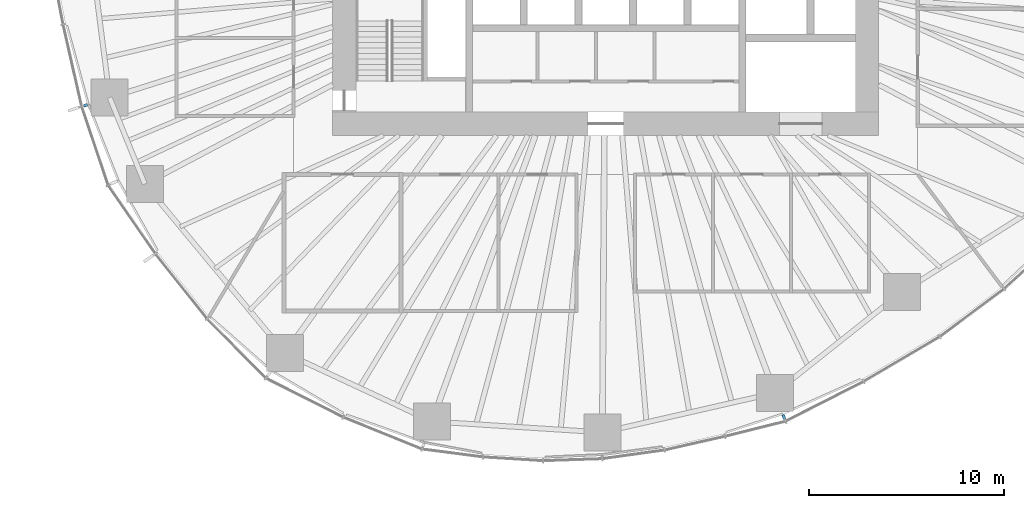
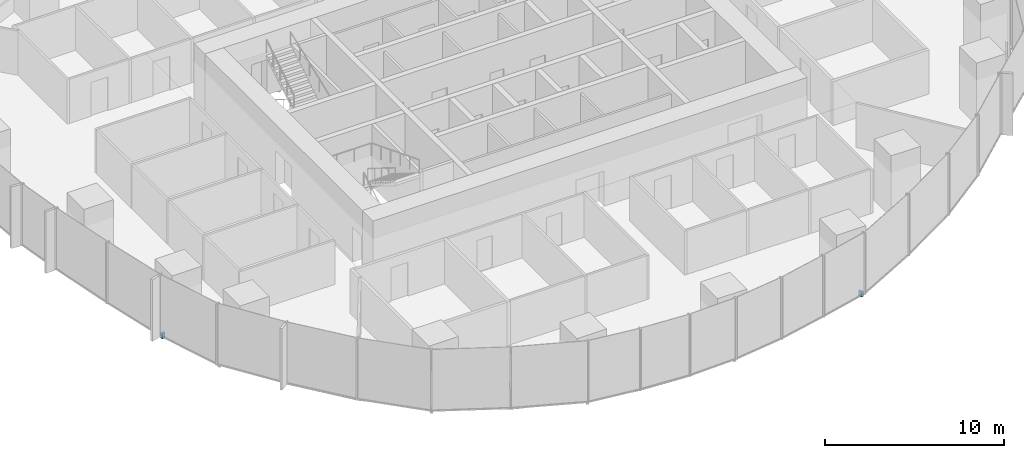
# One storey, part 13 of 20: 2 discrete accessories.
"""IFC4 building model written with IfcOpenShell, lengths in metres."""

import ifcopenshell
import ifcopenshell.guid

model = None  # the IFC model being written
_history = None  # IfcOwnerHistory: only IFC2X3 demands one
_inside = {}  # id of a spatial element -> (the spatial element, [elements in it])
_under = {}  # id of a project, library or spatial element -> (it, [spatial elements below it])
_declared = {}  # id of a project -> (the project, [libraries it declares])
_typed = {}  # id of a type object -> (the type object, [elements of that type])
_made_of = {}  # id of a material, layer set ... -> (it, [elements and type objects made of it])


def new_model(schema):
    """Start an empty IFC model of exactly this schema.

    Asked for "IFC4X3", IfcOpenShell would pick the latest addendum, in which some entities
    have other attributes; the version numbers below select the first issue.
    IFC2X3 requires an IfcOwnerHistory on every rooted entity: one is made here for all.
    """
    global model, _history
    if schema == "IFC4X3":
        model = ifcopenshell.file(schema_version=(4, 3, 0, 0))
    else:
        model = ifcopenshell.file(schema=schema)
    _inside.clear()
    _under.clear()
    _declared.clear()
    _typed.clear()
    _made_of.clear()
    _history = None
    if model.schema == "IFC2X3":
        org = make("IfcOrganization", Name="unknown")
        user = make(
            "IfcPersonAndOrganization",
            ThePerson=make("IfcPerson", FamilyName="unknown"),
            TheOrganization=org,
        )
        app = make(
            "IfcApplication",
            ApplicationDeveloper=org,
            Version="unknown",
            ApplicationFullName="unknown",
            ApplicationIdentifier="unknown",
        )
        _history = make(
            "IfcOwnerHistory",
            OwningUser=user,
            OwningApplication=app,
            ChangeAction="ADDED",
            CreationDate=0,
        )
    return model


def make(cls, **values):
    """One entity of the class cls with the attributes given. An attribute that is None is left unset."""
    return model.create_entity(
        cls, **{name: value for name, value in values.items() if value is not None}
    )


def rooted(cls, **values):
    """An entity with a GlobalId (a new one), such as an element, a storey or a relation."""
    return make(cls, GlobalId=ifcopenshell.guid.new(), OwnerHistory=_history, **values)


def si_unit(unit_type, name, prefix=None):
    """IfcSIUnit, for example si_unit("LENGTHUNIT", "METRE", prefix="MILLI")."""
    return make("IfcSIUnit", UnitType=unit_type, Prefix=prefix, Name=name)


def assignment(units):
    """IfcUnitAssignment: the units of a project."""
    return None if units is None else make("IfcUnitAssignment", Units=units)


def point(xyz):
    """IfcCartesianPoint."""
    return None if xyz is None else make("IfcCartesianPoint", Coordinates=xyz)


def direction(xyz):
    """IfcDirection."""
    return None if xyz is None else make("IfcDirection", DirectionRatios=xyz)


def frame(location, z_axis=None, x_axis=None):
    """IfcAxis2Placement3D, a coordinate frame: its origin and axes. An axis left out is left unset."""
    return make(
        "IfcAxis2Placement3D",
        Location=point(location),
        Axis=direction(z_axis),
        RefDirection=direction(x_axis),
    )


def frame_2d(location, x_axis=None):
    """IfcAxis2Placement2D, a coordinate frame in the plane: its origin and x axis."""
    return make(
        "IfcAxis2Placement2D", Location=point(location), RefDirection=direction(x_axis)
    )


def origin():
    """The frame at (0, 0, 0) with its axes left unset."""
    return frame((0.0, 0.0, 0.0))


def origin_2d():
    """The frame at (0, 0) in the plane with its x axis left unset."""
    return frame_2d((0.0, 0.0))


def place(relative_to, where):
    """IfcLocalPlacement: puts the frame where relative to a parent placement (None: the world)."""
    return make(
        "IfcLocalPlacement", PlacementRelTo=relative_to, RelativePlacement=where
    )


def context(
    kind, dimensions, precision=None, world=None, true_north=None, identifier=None
):
    """IfcGeometricRepresentationContext, for example the 3D "Model" context."""
    return make(
        "IfcGeometricRepresentationContext",
        ContextIdentifier=identifier,
        ContextType=kind,
        CoordinateSpaceDimension=dimensions,
        Precision=precision,
        WorldCoordinateSystem=world,
        TrueNorth=true_north,
    )


def subcontext(parent, identifier, kind, view, scale=None):
    """IfcGeometricRepresentationSubContext, for example "Body" below "Model"."""
    return make(
        "IfcGeometricRepresentationSubContext",
        ContextIdentifier=identifier,
        ContextType=kind,
        ParentContext=parent,
        TargetScale=scale,
        TargetView=view,
    )


def project(units=None, contexts=None):
    """IfcProject with its units and contexts."""
    return rooted(
        "IfcProject",
        Name="project",
        RepresentationContexts=contexts,
        UnitsInContext=assignment(units),
    )


def spatial(cls, under=None, at=None, **own):
    """A site, building, storey or space (cls), placed at a placement, below another one or the project."""
    s = rooted(cls, ObjectPlacement=at, **own)
    if under is not None:
        _under.setdefault(under.id(), (under, []))[1].append(s)
    return s


def profile(cls, at=None, kind="AREA", **sizes):
    """A parametric profile (cls). Its sizes go by their IFC names, for example OverallWidth=200.0."""
    return make(cls, ProfileType=kind, Position=at, **sizes)


def rectangle(**sizes):
    """IfcRectangleProfileDef."""
    return profile("IfcRectangleProfileDef", **sizes)


def extrude(swept, where, along, depth):
    """IfcExtrudedAreaSolid: the profile swept, set in the frame where, extruded along a direction by depth."""
    return make(
        "IfcExtrudedAreaSolid",
        SweptArea=swept,
        Position=where,
        ExtrudedDirection=direction(along),
        Depth=depth,
    )


def shape(context_of_items, identifier, shape_type, items):
    """IfcShapeRepresentation: the items that make up one representation, for example the "Body"."""
    return make(
        "IfcShapeRepresentation",
        ContextOfItems=context_of_items,
        RepresentationIdentifier=identifier,
        RepresentationType=shape_type,
        Items=items,
    )


def material(Name=None, Category=None):
    """IfcMaterial."""
    return make("IfcMaterial", Name=Name, Category=Category)


def made_of(thing, what):
    """Note that an element or type object is made of a material, layer set ...; save() writes the relation."""
    if what is not None:
        _made_of.setdefault(what.id(), (what, []))[1].append(thing)
    return thing


def type_object(cls, material=None, **own):
    """A type object (cls), such as IfcWallType, which elements share."""
    return made_of(rooted(cls, **own), material)


def element(
    cls,
    number,
    at=None,
    inside=None,
    cuts=None,
    type_object=None,
    material=None,
    context=None,
    identifier="Body",
    shape_type=None,
    held_by="IfcProductDefinitionShape",
    body=None,
    shapes=None,
    **own,
):
    """One element of the class cls, such as IfcWall. Its Tag is "e" and its number.

    at: its placement. inside: the storey or other place that contains it. cuts: it is an
    opening in that element (IfcRelVoidsElement). A single representation is given by context,
    identifier, shape_type and body (its items); several are given by shapes. held_by: the class
    of the entity that holds the representations. save() writes the other relations.
    """
    e = rooted(cls, Tag="e%d" % number, ObjectPlacement=at, **own)
    if body is not None:
        shapes = [shape(context, identifier, shape_type, body)]
    if shapes is not None:
        e.Representation = make(held_by, Representations=shapes)
    if inside is not None:
        _inside.setdefault(inside.id(), (inside, []))[1].append(e)
    if cuts is not None:
        rooted(
            "IfcRelVoidsElement", RelatingBuildingElement=cuts, RelatedOpeningElement=e
        )
    if type_object is not None:
        _typed.setdefault(type_object.id(), (type_object, []))[1].append(e)
    return made_of(e, material)


def aggregate(whole, parts):
    """IfcRelAggregates: a whole, such as a stair, and the parts it consists of."""
    return rooted("IfcRelAggregates", RelatingObject=whole, RelatedObjects=parts)


def save(model, path):
    """Write the relations noted so far, then the file.

    IfcRelAggregates (storeys below a building ...), IfcRelContainedInSpatialStructure (elements
    in a storey), IfcRelDefinesByType, IfcRelAssociatesMaterial and IfcRelDeclares: one each for
    every whole, place, type object, material and project.
    """
    for whole, parts in _under.values():
        aggregate(whole, parts)
    for where, things in _inside.values():
        rooted(
            "IfcRelContainedInSpatialStructure",
            RelatedElements=things,
            RelatingStructure=where,
        )
    for kind, things in _typed.values():
        rooted("IfcRelDefinesByType", RelatedObjects=things, RelatingType=kind)
    for what, things in _made_of.values():
        rooted("IfcRelAssociatesMaterial", RelatedObjects=things, RelatingMaterial=what)
    for by, libraries in _declared.values():
        rooted("IfcRelDeclares", RelatingContext=by, RelatedDefinitions=libraries)
    model.write(path)


model = new_model("IFC4")

# Units and contexts
model_context = context("Model", 3, precision=1e-05, world=origin(), true_north=direction((0.0, 1.0)))
body_context = subcontext(model_context, "Body", "Model", "MODEL_VIEW")
ifc_project = project(units=[si_unit("LENGTHUNIT", "METRE"), si_unit("AREAUNIT", "SQUARE_METRE"), si_unit("VOLUMEUNIT", "CUBIC_METRE"), si_unit("PLANEANGLEUNIT", "RADIAN"), si_unit("MASSUNIT", "GRAM", prefix="KILO")], contexts=[model_context])

# Site, building, storey
site_placement = place(None, origin())
site = spatial("IfcSite", under=ifc_project, at=site_placement, CompositionType="ELEMENT")
building_placement = place(site_placement, origin())
building = spatial("IfcBuilding", under=site, at=building_placement, Name="Ghaith Harvest Tower", CompositionType="ELEMENT")
storey_placement = place(building_placement, frame((0.0, 0.0, 109.199951171875)))
storey = spatial("IfcBuildingStorey", under=building, at=storey_placement, Name="L22", CompositionType="ELEMENT", Elevation=109.199951171875)

# Discrete accessories
ifc_material_1 = material(Name="Stainless steel grade 1.4401", Category="steel")
discrete_accessory_type_1 = type_object("IfcDiscreteAccessoryType", Name="CURTAIN WALL BRACKET 205", PredefinedType="BRACKET", material=ifc_material_1)
discrete_accessory_1_placement = place(storey_placement, frame((-26.673095703125, -8.453125, -0.25), z_axis=(0.0, 0.0, 1.0), x_axis=(-0.953273219416, -0.302109531701, 0.0)))
element("IfcDiscreteAccessory", 1, at=discrete_accessory_1_placement, inside=storey, type_object=discrete_accessory_type_1, Name="CW-L bracket 1 bay 12 L22", PredefinedType="BRACKET", context=body_context, shape_type="SweptSolid", body=[
    extrude(rectangle(XDim=0.205078125, YDim=0.14990234375, at=origin_2d()), origin(), (0.0, 0.0, 1.0), 0.35009765625),
])
ifc_material_2 = material(Name="Stainless steel grade 1.4401", Category="steel")
discrete_accessory_type_2 = type_object("IfcDiscreteAccessoryType", Name="CURTAIN WALL BRACKET 245", PredefinedType="BRACKET", material=ifc_material_2)
discrete_accessory_2_placement = place(storey_placement, frame((9.135498046875, -24.436767578125, -0.25), z_axis=(0.0, 0.0, 1.0), x_axis=(0.35016769691, -0.93668702566, 0.0)))
element("IfcDiscreteAccessory", 2, at=discrete_accessory_2_placement, inside=storey, type_object=discrete_accessory_type_2, Name="CW-L bracket 1 bay 17 L22", PredefinedType="BRACKET", context=body_context, shape_type="SweptSolid", body=[
    extrude(rectangle(XDim=0.2451171875, YDim=0.14990234375, at=origin_2d()), origin(), (0.0, 0.0, 1.0), 0.35009765625),
])

save(model, "model.ifc")
